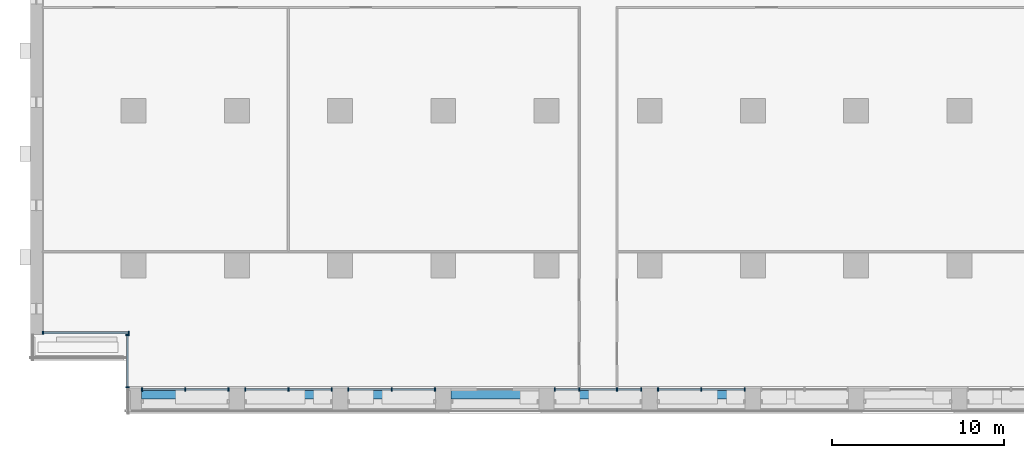
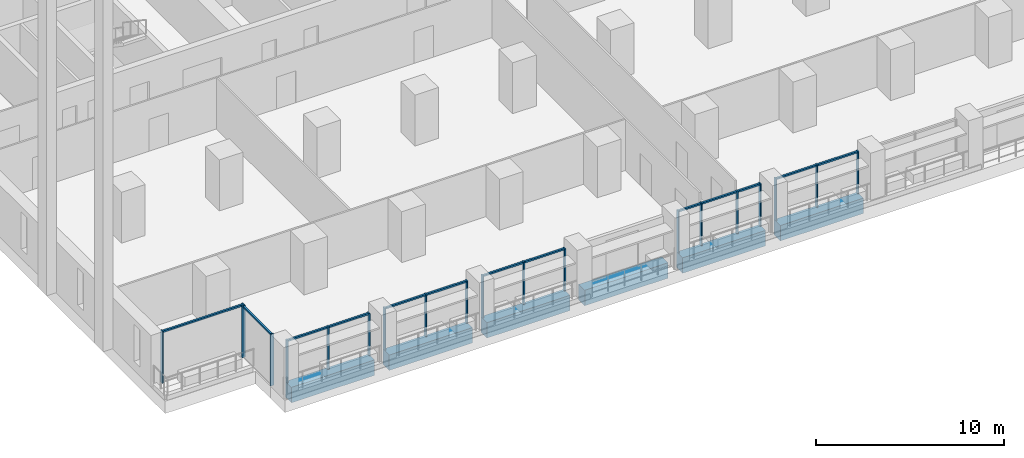
# One storey, part 2 of 18: 33 members, 6 beams, 7 elements without a shape of their own.
"""IFC4 building model written with IfcOpenShell, lengths in metres."""

from ifc_helpers import new_model, si_unit, direction, frame, origin, origin_2d, place, context, subcontext, project, spatial, rectangle, extrude, material, material_profile, profile_set, type_object, element, aggregate, save


model = new_model("IFC4")

# Units and contexts
model_context = context("Model", 3, precision=1e-05, world=origin(), true_north=direction((0.0, 1.0)))
body_context = subcontext(model_context, "Body", "Model", "MODEL_VIEW")
ifc_project = project(units=[si_unit("LENGTHUNIT", "METRE"), si_unit("AREAUNIT", "SQUARE_METRE"), si_unit("VOLUMEUNIT", "CUBIC_METRE"), si_unit("PLANEANGLEUNIT", "RADIAN"), si_unit("MASSUNIT", "GRAM", prefix="KILO")], contexts=[model_context])

# Site, building, storey
site_placement = place(None, origin())
site = spatial("IfcSite", under=ifc_project, at=site_placement, CompositionType="ELEMENT")
building_placement = place(site_placement, origin())
building = spatial("IfcBuilding", under=site, at=building_placement, Name="Calvaro Tower", CompositionType="ELEMENT")
storey_placement = place(building_placement, frame((0.0, 0.0, 95.0)))
storey = spatial("IfcBuildingStorey", under=building, at=storey_placement, Name="L23", CompositionType="ELEMENT", Elevation=95.0)

# Curtain wall, members
ifc_material_1 = material(Name="Anodised aluminium", Category="aluminium")
curtain_wall_type = type_object("IfcCurtainWallType", Name="Office curtain wall, middle zone", PredefinedType="NOTDEFINED", material=ifc_material_1)
curtain_wall_1_placement = place(storey_placement, origin())
curtain_wall_1 = element("IfcCurtainWall", 1, at=curtain_wall_1_placement, inside=storey, type_object=curtain_wall_type, Name="CW2 south curtain wall", PredefinedType="NOTDEFINED")
ifc_material_2 = material(Name="Anodised aluminium", Category="aluminium")
ifc_material_profile_1 = material_profile(ifc_material_2, rectangle(XDim=0.199951171875, YDim=0.070068359375, at=origin_2d()), Name="Mullion S2 70 x 200")
ifc_profile_set_1 = profile_set([ifc_material_profile_1], Name="Anodised aluminium")
member_type_1 = type_object("IfcMemberType", Name="Mullion S2 70 x 200", PredefinedType="MULLION", material=ifc_profile_set_1)
member_1_placement = place(storey_placement, frame((6.485107421875, 2.800048828125, 0.0), z_axis=(0.0, 0.0, 1.0), x_axis=(0.0, 1.0, 0.0)))
member_1 = element("IfcMember", 2, at=member_1_placement, type_object=member_type_1, Name="CW2 mullion 1", PredefinedType="MULLION", context=body_context, shape_type="SweptSolid", body=[
    extrude(rectangle(XDim=0.199951171875, YDim=0.070068359375, at=origin_2d()), origin(), (0.0, 0.0, 1.0), 2.75),
])
member_2_placement = place(storey_placement, frame((9.0, 2.800048828125, 0.0), z_axis=(0.0, 0.0, 1.0), x_axis=(0.0, 1.0, 0.0)))
member_2 = element("IfcMember", 3, at=member_2_placement, type_object=member_type_1, Name="CW2 mullion 2", PredefinedType="MULLION", context=body_context, shape_type="SweptSolid", body=[
    extrude(rectangle(XDim=0.199951171875, YDim=0.070068359375, at=origin_2d()), origin(), (0.0, 0.0, 1.0), 2.75),
])
member_3_placement = place(storey_placement, frame((11.514892578125, 2.800048828125, 0.0), z_axis=(0.0, 0.0, 1.0), x_axis=(0.0, 1.0, 0.0)))
member_3 = element("IfcMember", 4, at=member_3_placement, type_object=member_type_1, Name="CW2 mullion 3", PredefinedType="MULLION", context=body_context, shape_type="SweptSolid", body=[
    extrude(rectangle(XDim=0.199951171875, YDim=0.070068359375, at=origin_2d()), origin(), (0.0, 0.0, 1.0), 2.75),
])

curtain_wall_2_placement = place(storey_placement, origin())
curtain_wall_2 = element("IfcCurtainWall", 5, at=curtain_wall_2_placement, inside=storey, type_object=curtain_wall_type, Name="CW2 south curtain wall", PredefinedType="NOTDEFINED")
member_4_placement = place(storey_placement, frame((12.485107421875, 2.800048828125, 0.0), z_axis=(0.0, 0.0, 1.0), x_axis=(0.0, 1.0, 0.0)))
member_4 = element("IfcMember", 6, at=member_4_placement, type_object=member_type_1, Name="CW2 mullion 1", PredefinedType="MULLION", context=body_context, shape_type="SweptSolid", body=[
    extrude(rectangle(XDim=0.199951171875, YDim=0.070068359375, at=origin_2d()), origin(), (0.0, 0.0, 1.0), 2.75),
])
member_5_placement = place(storey_placement, frame((15.0, 2.800048828125, 0.0), z_axis=(0.0, 0.0, 1.0), x_axis=(0.0, 1.0, 0.0)))
member_5 = element("IfcMember", 7, at=member_5_placement, type_object=member_type_1, Name="CW2 mullion 2", PredefinedType="MULLION", context=body_context, shape_type="SweptSolid", body=[
    extrude(rectangle(XDim=0.199951171875, YDim=0.070068359375, at=origin_2d()), origin(), (0.0, 0.0, 1.0), 2.75),
])
member_6_placement = place(storey_placement, frame((17.514892578125, 2.800048828125, 0.0), z_axis=(0.0, 0.0, 1.0), x_axis=(0.0, 1.0, 0.0)))
member_6 = element("IfcMember", 8, at=member_6_placement, type_object=member_type_1, Name="CW2 mullion 3", PredefinedType="MULLION", context=body_context, shape_type="SweptSolid", body=[
    extrude(rectangle(XDim=0.199951171875, YDim=0.070068359375, at=origin_2d()), origin(), (0.0, 0.0, 1.0), 2.75),
])

curtain_wall_3_placement = place(storey_placement, origin())
curtain_wall_3 = element("IfcCurtainWall", 9, at=curtain_wall_3_placement, inside=storey, type_object=curtain_wall_type, Name="CW2 south curtain wall", PredefinedType="NOTDEFINED")
member_7_placement = place(storey_placement, frame((18.485107421875, 2.800048828125, 0.0), z_axis=(0.0, 0.0, 1.0), x_axis=(0.0, 1.0, 0.0)))
member_7 = element("IfcMember", 10, at=member_7_placement, type_object=member_type_1, Name="CW2 mullion 1", PredefinedType="MULLION", context=body_context, shape_type="SweptSolid", body=[
    extrude(rectangle(XDim=0.199951171875, YDim=0.070068359375, at=origin_2d()), origin(), (0.0, 0.0, 1.0), 2.75),
])
member_8_placement = place(storey_placement, frame((21.0, 2.800048828125, 0.0), z_axis=(0.0, 0.0, 1.0), x_axis=(0.0, 1.0, 0.0)))
member_8 = element("IfcMember", 11, at=member_8_placement, type_object=member_type_1, Name="CW2 mullion 2", PredefinedType="MULLION", context=body_context, shape_type="SweptSolid", body=[
    extrude(rectangle(XDim=0.199951171875, YDim=0.070068359375, at=origin_2d()), origin(), (0.0, 0.0, 1.0), 2.75),
])
member_9_placement = place(storey_placement, frame((23.514892578125, 2.800048828125, 0.0), z_axis=(0.0, 0.0, 1.0), x_axis=(0.0, 1.0, 0.0)))
member_9 = element("IfcMember", 12, at=member_9_placement, type_object=member_type_1, Name="CW2 mullion 3", PredefinedType="MULLION", context=body_context, shape_type="SweptSolid", body=[
    extrude(rectangle(XDim=0.199951171875, YDim=0.070068359375, at=origin_2d()), origin(), (0.0, 0.0, 1.0), 2.75),
])

curtain_wall_4_placement = place(storey_placement, origin())
curtain_wall_4 = element("IfcCurtainWall", 13, at=curtain_wall_4_placement, inside=storey, type_object=curtain_wall_type, Name="CW2 south curtain wall", PredefinedType="NOTDEFINED")
member_10_placement = place(storey_placement, frame((30.485107421875, 2.800048828125, 0.0), z_axis=(0.0, 0.0, 1.0), x_axis=(0.0, 1.0, 0.0)))
member_10 = element("IfcMember", 14, at=member_10_placement, type_object=member_type_1, Name="CW2 mullion 1", PredefinedType="MULLION", context=body_context, shape_type="SweptSolid", body=[
    extrude(rectangle(XDim=0.199951171875, YDim=0.070068359375, at=origin_2d()), origin(), (0.0, 0.0, 1.0), 2.75),
])
member_11_placement = place(storey_placement, frame((31.89990234375, 2.800048828125, 0.0), z_axis=(0.0, 0.0, 1.0), x_axis=(0.0, 1.0, 0.0)))
member_11 = element("IfcMember", 15, at=member_11_placement, type_object=member_type_1, Name="CW2 mullion 2", PredefinedType="MULLION", context=body_context, shape_type="SweptSolid", body=[
    extrude(rectangle(XDim=0.199951171875, YDim=0.070068359375, at=origin_2d()), origin(), (0.0, 0.0, 1.0), 2.75),
])
member_12_placement = place(storey_placement, frame((34.10009765625, 2.800048828125, 0.0), z_axis=(0.0, 0.0, 1.0), x_axis=(0.0, 1.0, 0.0)))
member_12 = element("IfcMember", 16, at=member_12_placement, type_object=member_type_1, Name="CW2 mullion 3", PredefinedType="MULLION", context=body_context, shape_type="SweptSolid", body=[
    extrude(rectangle(XDim=0.199951171875, YDim=0.070068359375, at=origin_2d()), origin(), (0.0, 0.0, 1.0), 2.75),
])
member_13_placement = place(storey_placement, frame((35.514892578125, 2.800048828125, 0.0), z_axis=(0.0, 0.0, 1.0), x_axis=(0.0, 1.0, 0.0)))
member_13 = element("IfcMember", 17, at=member_13_placement, type_object=member_type_1, Name="CW2 mullion 4", PredefinedType="MULLION", context=body_context, shape_type="SweptSolid", body=[
    extrude(rectangle(XDim=0.199951171875, YDim=0.070068359375, at=origin_2d()), origin(), (0.0, 0.0, 1.0), 2.75),
])

curtain_wall_5_placement = place(storey_placement, origin())
curtain_wall_5 = element("IfcCurtainWall", 18, at=curtain_wall_5_placement, inside=storey, type_object=curtain_wall_type, Name="CW2 south curtain wall", PredefinedType="NOTDEFINED")
member_14_placement = place(storey_placement, frame((36.485107421875, 2.800048828125, 0.0), z_axis=(0.0, 0.0, 1.0), x_axis=(0.0, 1.0, 0.0)))
member_14 = element("IfcMember", 19, at=member_14_placement, type_object=member_type_1, Name="CW2 mullion 1", PredefinedType="MULLION", context=body_context, shape_type="SweptSolid", body=[
    extrude(rectangle(XDim=0.199951171875, YDim=0.070068359375, at=origin_2d()), origin(), (0.0, 0.0, 1.0), 2.75),
])
member_15_placement = place(storey_placement, frame((39.0, 2.800048828125, 0.0), z_axis=(0.0, 0.0, 1.0), x_axis=(0.0, 1.0, 0.0)))
member_15 = element("IfcMember", 20, at=member_15_placement, type_object=member_type_1, Name="CW2 mullion 2", PredefinedType="MULLION", context=body_context, shape_type="SweptSolid", body=[
    extrude(rectangle(XDim=0.199951171875, YDim=0.070068359375, at=origin_2d()), origin(), (0.0, 0.0, 1.0), 2.75),
])
member_16_placement = place(storey_placement, frame((41.514892578125, 2.800048828125, 0.0), z_axis=(0.0, 0.0, 1.0), x_axis=(0.0, 1.0, 0.0)))
member_16 = element("IfcMember", 21, at=member_16_placement, type_object=member_type_1, Name="CW2 mullion 3", PredefinedType="MULLION", context=body_context, shape_type="SweptSolid", body=[
    extrude(rectangle(XDim=0.199951171875, YDim=0.070068359375, at=origin_2d()), origin(), (0.0, 0.0, 1.0), 2.75),
])

curtain_wall_6_placement = place(storey_placement, origin())
curtain_wall_6 = element("IfcCurtainWall", 22, at=curtain_wall_6_placement, inside=storey, type_object=curtain_wall_type, Name="CW2 corner curtain wall", PredefinedType="NOTDEFINED")
member_17_placement = place(storey_placement, frame((5.64990234375, 2.93505859375, 0.0), z_axis=(0.0, 0.0, 1.0), x_axis=(-1.0, 0.0, 0.0)))
member_17 = element("IfcMember", 23, at=member_17_placement, type_object=member_type_1, Name="CW2 mullion 1", PredefinedType="MULLION", context=body_context, shape_type="SweptSolid", body=[
    extrude(rectangle(XDim=0.199951171875, YDim=0.070068359375, at=origin_2d()), origin(), (0.0, 0.0, 1.0), 3.35009765625),
])
member_18_placement = place(storey_placement, frame((5.64990234375, 5.965087890625, 0.0), z_axis=(0.0, 0.0, 1.0), x_axis=(-1.0, 0.0, 0.0)))
member_18 = element("IfcMember", 24, at=member_18_placement, type_object=member_type_1, Name="CW2 mullion 2", PredefinedType="MULLION", context=body_context, shape_type="SweptSolid", body=[
    extrude(rectangle(XDim=0.199951171875, YDim=0.070068359375, at=origin_2d()), origin(), (0.0, 0.0, 1.0), 3.35009765625),
])

curtain_wall_7_placement = place(storey_placement, origin())
curtain_wall_7 = element("IfcCurtainWall", 25, at=curtain_wall_7_placement, inside=storey, type_object=curtain_wall_type, Name="CW2 corner curtain wall", PredefinedType="NOTDEFINED")
member_19_placement = place(storey_placement, frame((0.735107421875, 6.10009765625, 0.0), z_axis=(0.0, 0.0, 1.0), x_axis=(0.0, 1.0, 0.0)))
member_19 = element("IfcMember", 26, at=member_19_placement, type_object=member_type_1, Name="CW2 mullion 1", PredefinedType="MULLION", context=body_context, shape_type="SweptSolid", body=[
    extrude(rectangle(XDim=0.199951171875, YDim=0.070068359375, at=origin_2d()), origin(), (0.0, 0.0, 1.0), 3.35009765625),
])
member_20_placement = place(storey_placement, frame((5.715087890625, 6.10009765625, 0.0), z_axis=(0.0, 0.0, 1.0), x_axis=(0.0, 1.0, 0.0)))
member_20 = element("IfcMember", 27, at=member_20_placement, type_object=member_type_1, Name="CW2 mullion 2", PredefinedType="MULLION", context=body_context, shape_type="SweptSolid", body=[
    extrude(rectangle(XDim=0.199951171875, YDim=0.070068359375, at=origin_2d()), origin(), (0.0, 0.0, 1.0), 3.35009765625),
])

# Beams
ifc_material_3 = material(Name="Concrete C50/60 precast", Category="concrete")
ifc_material_profile_2 = material_profile(ifc_material_3, rectangle(XDim=0.64990234375, YDim=1.0, at=origin_2d()), Name="RC 650x1000")
ifc_profile_set_2 = profile_set([ifc_material_profile_2], Name="Concrete C50/60 precast")
beam_type = type_object("IfcBeamType", Name="Spandrel beam 650x1000 C50/60", PredefinedType="SPANDREL", material=ifc_profile_set_2)
for number, where, z_axis, x_axis, name in (
    (28, (6.449951171875, 2.574951171875, -0.5), (1.0, 0.0, 0.0), (0.0, 1.0, 0.0), "Spandrel beam"),
    (29, (12.449951171875, 2.574951171875, -0.5), (1.0, 0.0, 0.0), (0.0, 1.0, 0.0), "Spandrel beam"),
    (30, (18.449951171875, 2.574951171875, -0.5), (1.0, 0.0, 0.0), (0.0, 1.0, 0.0), "Spandrel beam"),
    (31, (24.449951171875, 2.574951171875, -0.5), (1.0, 0.0, 0.0), (0.0, 1.0, 0.0), "Spandrel beam"),
    (32, (30.449951171875, 2.574951171875, -0.5), (1.0, 0.0, 0.0), (0.0, 1.0, 0.0), "Spandrel beam"),
    (33, (36.449951171875, 2.574951171875, -0.5), (1.0, 0.0, 0.0), (0.0, 1.0, 0.0), "Spandrel beam"),
):
    element("IfcBeam", number, at=place(storey_placement, frame(where, z_axis=z_axis, x_axis=x_axis)), inside=storey, type_object=beam_type, Name=name, PredefinedType="SPANDREL", context=body_context, shape_type="SweptSolid", body=[
        extrude(rectangle(XDim=0.64990234375, YDim=1.0, at=origin_2d()), origin(), (0.0, 0.0, 1.0), 5.10009765625),
    ])

# Member
ifc_material_4 = material(Name="Anodised aluminium", Category="aluminium")
ifc_material_profile_3 = material_profile(ifc_material_4, rectangle(XDim=0.1201171875, YDim=0.10009765625, at=origin_2d()), Name="Transom S2 100 x 120")
ifc_profile_set_3 = profile_set([ifc_material_profile_3], Name="Anodised aluminium")
member_type_2 = type_object("IfcMemberType", Name="Transom S2 100 x 120", PredefinedType="USERDEFINED", material=ifc_profile_set_3)
member_21_placement = place(storey_placement, frame((6.52001953125, 2.800048828125, 2.699951171875), z_axis=(1.0, 0.0, 0.0), x_axis=(0.0, 1.0, 0.0)))
member_21 = element("IfcMember", 34, at=member_21_placement, type_object=member_type_2, Name="CW2 transom 1.1", ObjectType="TRANSOM", PredefinedType="USERDEFINED", context=body_context, shape_type="SweptSolid", body=[
    extrude(rectangle(XDim=0.1201171875, YDim=0.10009765625, at=origin_2d()), origin(), (0.0, 0.0, 1.0), 2.445068359375),
])

member_22_placement = place(storey_placement, frame((9.034912109375, 2.800048828125, 2.699951171875), z_axis=(1.0, 0.0, 0.0), x_axis=(0.0, 1.0, 0.0)))
member_22 = element("IfcMember", 35, at=member_22_placement, type_object=member_type_2, Name="CW2 transom 2.1", ObjectType="TRANSOM", PredefinedType="USERDEFINED", context=body_context, shape_type="SweptSolid", body=[
    extrude(rectangle(XDim=0.1201171875, YDim=0.10009765625, at=origin_2d()), origin(), (0.0, 0.0, 1.0), 2.445068359375),
])

aggregate(curtain_wall_1, [member_1, member_2, member_3, member_21, member_22])

member_23_placement = place(storey_placement, frame((12.52001953125, 2.800048828125, 2.699951171875), z_axis=(1.0, 0.0, 0.0), x_axis=(0.0, 1.0, 0.0)))
member_23 = element("IfcMember", 36, at=member_23_placement, type_object=member_type_2, Name="CW2 transom 1.1", ObjectType="TRANSOM", PredefinedType="USERDEFINED", context=body_context, shape_type="SweptSolid", body=[
    extrude(rectangle(XDim=0.1201171875, YDim=0.10009765625, at=origin_2d()), origin(), (0.0, 0.0, 1.0), 2.445068359375),
])

member_24_placement = place(storey_placement, frame((15.034912109375, 2.800048828125, 2.699951171875), z_axis=(1.0, 0.0, 0.0), x_axis=(0.0, 1.0, 0.0)))
member_24 = element("IfcMember", 37, at=member_24_placement, type_object=member_type_2, Name="CW2 transom 2.1", ObjectType="TRANSOM", PredefinedType="USERDEFINED", context=body_context, shape_type="SweptSolid", body=[
    extrude(rectangle(XDim=0.1201171875, YDim=0.10009765625, at=origin_2d()), origin(), (0.0, 0.0, 1.0), 2.445068359375),
])

aggregate(curtain_wall_2, [member_4, member_5, member_6, member_23, member_24])

member_25_placement = place(storey_placement, frame((18.52001953125, 2.800048828125, 2.699951171875), z_axis=(1.0, 0.0, 0.0), x_axis=(0.0, 1.0, 0.0)))
member_25 = element("IfcMember", 38, at=member_25_placement, type_object=member_type_2, Name="CW2 transom 1.1", ObjectType="TRANSOM", PredefinedType="USERDEFINED", context=body_context, shape_type="SweptSolid", body=[
    extrude(rectangle(XDim=0.1201171875, YDim=0.10009765625, at=origin_2d()), origin(), (0.0, 0.0, 1.0), 2.445068359375),
])

member_26_placement = place(storey_placement, frame((21.034912109375, 2.800048828125, 2.699951171875), z_axis=(1.0, 0.0, 0.0), x_axis=(0.0, 1.0, 0.0)))
member_26 = element("IfcMember", 39, at=member_26_placement, type_object=member_type_2, Name="CW2 transom 2.1", ObjectType="TRANSOM", PredefinedType="USERDEFINED", context=body_context, shape_type="SweptSolid", body=[
    extrude(rectangle(XDim=0.1201171875, YDim=0.10009765625, at=origin_2d()), origin(), (0.0, 0.0, 1.0), 2.445068359375),
])

aggregate(curtain_wall_3, [member_7, member_8, member_9, member_25, member_26])

member_27_placement = place(storey_placement, frame((30.52001953125, 2.800048828125, 2.699951171875), z_axis=(1.0, 0.0, 0.0), x_axis=(0.0, 1.0, 0.0)))
member_27 = element("IfcMember", 40, at=member_27_placement, type_object=member_type_2, Name="CW2 transom 1.1", ObjectType="TRANSOM", PredefinedType="USERDEFINED", context=body_context, shape_type="SweptSolid", body=[
    extrude(rectangle(XDim=0.1201171875, YDim=0.10009765625, at=origin_2d()), origin(), (0.0, 0.0, 1.0), 1.344970703125),
])

member_28_placement = place(storey_placement, frame((31.93505859375, 2.800048828125, 2.699951171875), z_axis=(1.0, 0.0, 0.0), x_axis=(0.0, 1.0, 0.0)))
member_28 = element("IfcMember", 41, at=member_28_placement, type_object=member_type_2, Name="CW2 transom 2.1", ObjectType="TRANSOM", PredefinedType="USERDEFINED", context=body_context, shape_type="SweptSolid", body=[
    extrude(rectangle(XDim=0.1201171875, YDim=0.10009765625, at=origin_2d()), origin(), (0.0, 0.0, 1.0), 2.1298828125),
])

member_29_placement = place(storey_placement, frame((34.135009765625, 2.800048828125, 2.699951171875), z_axis=(1.0, 0.0, 0.0), x_axis=(0.0, 1.0, 0.0)))
member_29 = element("IfcMember", 42, at=member_29_placement, type_object=member_type_2, Name="CW2 transom 3.1", ObjectType="TRANSOM", PredefinedType="USERDEFINED", context=body_context, shape_type="SweptSolid", body=[
    extrude(rectangle(XDim=0.1201171875, YDim=0.10009765625, at=origin_2d()), origin(), (0.0, 0.0, 1.0), 1.344970703125),
])

aggregate(curtain_wall_4, [member_10, member_11, member_12, member_13, member_27, member_28, member_29])

member_30_placement = place(storey_placement, frame((36.52001953125, 2.800048828125, 2.699951171875), z_axis=(1.0, 0.0, 0.0), x_axis=(0.0, 1.0, 0.0)))
member_30 = element("IfcMember", 43, at=member_30_placement, type_object=member_type_2, Name="CW2 transom 1.1", ObjectType="TRANSOM", PredefinedType="USERDEFINED", context=body_context, shape_type="SweptSolid", body=[
    extrude(rectangle(XDim=0.1201171875, YDim=0.10009765625, at=origin_2d()), origin(), (0.0, 0.0, 1.0), 2.445068359375),
])

member_31_placement = place(storey_placement, frame((39.034912109375, 2.800048828125, 2.699951171875), z_axis=(1.0, 0.0, 0.0), x_axis=(0.0, 1.0, 0.0)))
member_31 = element("IfcMember", 44, at=member_31_placement, type_object=member_type_2, Name="CW2 transom 2.1", ObjectType="TRANSOM", PredefinedType="USERDEFINED", context=body_context, shape_type="SweptSolid", body=[
    extrude(rectangle(XDim=0.1201171875, YDim=0.10009765625, at=origin_2d()), origin(), (0.0, 0.0, 1.0), 2.445068359375),
])

aggregate(curtain_wall_5, [member_14, member_15, member_16, member_30, member_31])

member_32_placement = place(storey_placement, frame((5.64990234375, 2.969970703125, 3.300048828125), z_axis=(0.0, 1.0, 0.0), x_axis=(-1.0, 0.0, 0.0)))
member_32 = element("IfcMember", 45, at=member_32_placement, type_object=member_type_2, Name="CW2 transom 1.1", ObjectType="TRANSOM", PredefinedType="USERDEFINED", context=body_context, shape_type="SweptSolid", body=[
    extrude(rectangle(XDim=0.1201171875, YDim=0.10009765625, at=origin_2d()), origin(), (0.0, 0.0, 1.0), 2.9599609375),
])

aggregate(curtain_wall_6, [member_17, member_18, member_32])

member_33_placement = place(storey_placement, frame((0.77001953125, 6.10009765625, 3.300048828125), z_axis=(1.0, 0.0, 0.0), x_axis=(0.0, 1.0, 0.0)))
member_33 = element("IfcMember", 46, at=member_33_placement, type_object=member_type_2, Name="CW2 transom 1.1", ObjectType="TRANSOM", PredefinedType="USERDEFINED", context=body_context, shape_type="SweptSolid", body=[
    extrude(rectangle(XDim=0.1201171875, YDim=0.10009765625, at=origin_2d()), origin(), (0.0, 0.0, 1.0), 4.909912109375),
])

aggregate(curtain_wall_7, [member_19, member_20, member_33])

save(model, "model.ifc")
